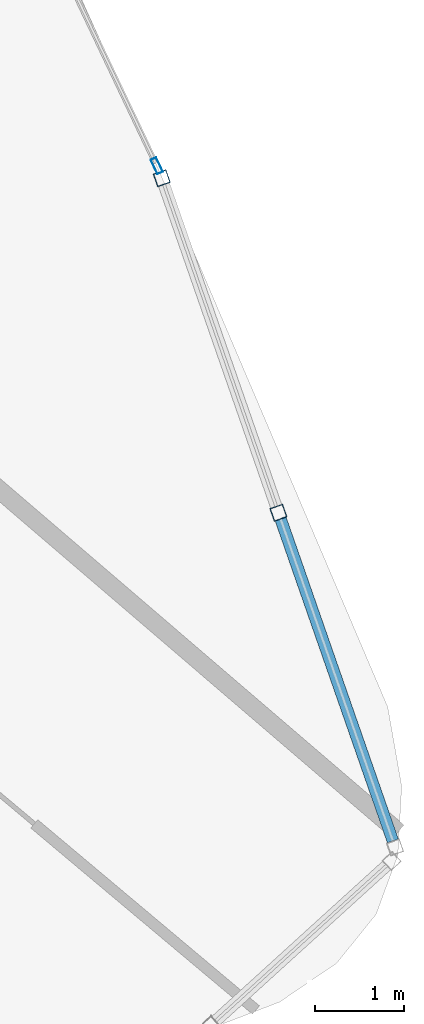
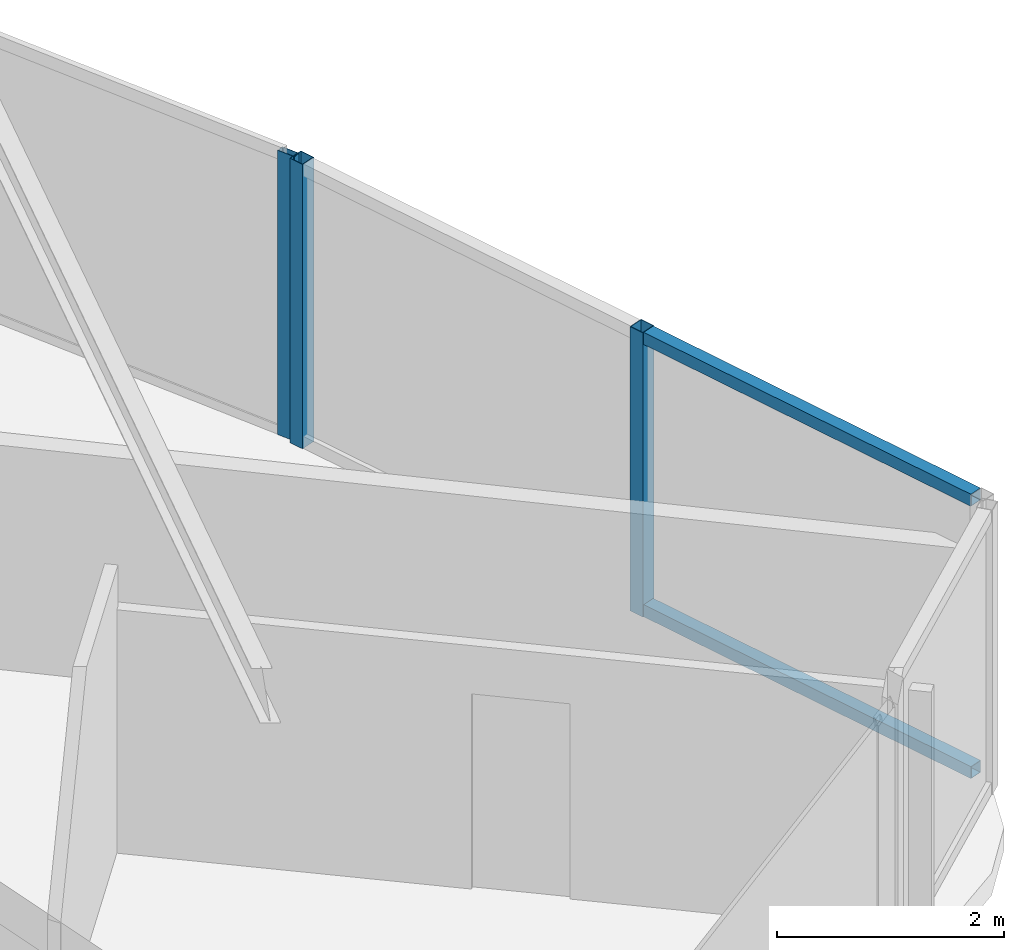
# One storey, part 16 of 35: 5 members, 2 elements without a shape of their own.
"""IFC4 building model written with IfcOpenShell, lengths in metres."""

from ifc_helpers import new_model, si_unit, direction, frame, origin, origin_2d, place, context, subcontext, project, spatial, hollow_rectangle, extrude, material, layer, layer_set, material_profile, profile_set, type_object, element, aggregate, save


model = new_model("IFC4")

# Units and contexts
model_context = context("Model", 3, precision=1e-05, world=origin(), true_north=direction((0.0, 1.0)))
body_context = subcontext(model_context, "Body", "Model", "MODEL_VIEW")
ifc_project = project(units=[si_unit("LENGTHUNIT", "METRE"), si_unit("AREAUNIT", "SQUARE_METRE"), si_unit("VOLUMEUNIT", "CUBIC_METRE"), si_unit("PLANEANGLEUNIT", "RADIAN"), si_unit("MASSUNIT", "GRAM", prefix="KILO")], contexts=[model_context])

# Site, building, storey
site_placement = place(None, origin())
site = spatial("IfcSite", under=ifc_project, at=site_placement, CompositionType="ELEMENT")
building_placement = place(site_placement, origin())
building = spatial("IfcBuilding", under=site, at=building_placement, Name="Orvanel Arch Residences", CompositionType="ELEMENT")
storey_placement = place(building_placement, frame((0.0, 0.0, 40.10009765625)))
storey = spatial("IfcBuildingStorey", under=building, at=storey_placement, Name="L10", CompositionType="ELEMENT", Elevation=40.10009765625)

# Curtain wall, members
ifc_material = material(Name="Bronze-anodised aluminium AA6063-T6", Category="aluminium")
ifc_layer_1 = layer(ifc_material, 0.18994140625)
ifc_layer_set_1 = layer_set([ifc_layer_1], Name="Bronze-anodised aluminium AA6063-T6")
curtain_wall_type_1 = type_object("IfcCurtainWallType", Name="CW5-CRN-SYS", PredefinedType="NOTDEFINED", material=ifc_layer_set_1)
curtain_wall_1_placement = place(storey_placement, origin())
curtain_wall_1 = element("IfcCurtainWall", 1, at=curtain_wall_1_placement, inside=storey, type_object=curtain_wall_type_1, Name="L10 CW5-CRN-SYS Unitised Curtain Wall", PredefinedType="NOTDEFINED")
ifc_material_profile_1 = material_profile(ifc_material, hollow_rectangle(XDim=0.14990234375, YDim=0.14990234375, WallThickness=0.0048828125, at=origin_2d()), Name="ALU150x150x5")
ifc_profile_set_1 = profile_set([ifc_material_profile_1], Name="Bronze-anodised aluminium AA6063-T6")
member_type_1 = type_object("IfcMemberType", Name="MUL-150x150", PredefinedType="MULLION", material=ifc_profile_set_1)
member_1_placement = place(storey_placement, frame((60.53857421875, 9.302978515625, 0.0), z_axis=(0.0, 0.0, 1.0), x_axis=(-0.94424408755, -0.329246265169, 0.0)))
member_1 = element("IfcMember", 2, at=member_1_placement, type_object=member_type_1, Name="CW-S5 mullion 2", PredefinedType="MULLION", context=body_context, shape_type="SweptSolid", body=[
    extrude(hollow_rectangle(XDim=0.14990234375, YDim=0.14990234375, WallThickness=0.0048828125, at=origin_2d()), origin(), (0.0, 0.0, 1.0), 3.059814453125),
])
member_2_placement = place(storey_placement, frame((59.234619140625, 13.042236328125, 0.0), z_axis=(0.0, 0.0, 1.0), x_axis=(-0.94424408755, -0.329246265169, 0.0)))
member_2 = element("IfcMember", 3, at=member_2_placement, type_object=member_type_1, Name="CW-S5 mullion 3", PredefinedType="MULLION", context=body_context, shape_type="SweptSolid", body=[
    extrude(hollow_rectangle(XDim=0.14990234375, YDim=0.14990234375, WallThickness=0.0048828125, at=origin_2d()), origin(), (0.0, 0.0, 1.0), 3.059814453125),
])

# Curtain wall, member
ifc_layer_2 = layer(ifc_material, 0.179931640625)
ifc_layer_set_2 = layer_set([ifc_layer_2], Name="Bronze-anodised aluminium AA6063-T6")
curtain_wall_type_2 = type_object("IfcCurtainWallType", Name="CW2-LOW-SYS", PredefinedType="NOTDEFINED", material=ifc_layer_set_2)
curtain_wall_2_placement = place(storey_placement, origin())
curtain_wall_2 = element("IfcCurtainWall", 4, at=curtain_wall_2_placement, inside=storey, type_object=curtain_wall_type_2, Name="L10 CW2-LOW-SYS Unitised Curtain Wall", PredefinedType="NOTDEFINED")
ifc_material_profile_2 = material_profile(ifc_material, hollow_rectangle(XDim=0.070068359375, YDim=0.179931640625, WallThickness=0.00439453125, at=origin_2d()), Name="ALU180x70x4.5")
ifc_profile_set_2 = profile_set([ifc_material_profile_2], Name="Bronze-anodised aluminium AA6063-T6")
member_type_2 = type_object("IfcMemberType", Name="MUL-180x70", PredefinedType="MULLION", material=ifc_profile_set_2)
member_3_placement = place(storey_placement, frame((59.178955078125, 13.181640625, 0.0), z_axis=(0.0, 0.0, 1.0), x_axis=(-0.903506444237, -0.4285745037, 0.0)))
member_3 = element("IfcMember", 5, at=member_3_placement, type_object=member_type_2, Name="CW-S2 mullion 1", PredefinedType="MULLION", context=body_context, shape_type="SweptSolid", body=[
    extrude(hollow_rectangle(XDim=0.070068359375, YDim=0.179931640625, WallThickness=0.00439453125, at=origin_2d()), origin(), (0.0, 0.0, 1.0), 3.059814453125),
])
aggregate(curtain_wall_2, [member_3])

# Member
ifc_material_profile_3 = material_profile(ifc_material, hollow_rectangle(XDim=0.1298828125, YDim=0.1298828125, WallThickness=0.00439453125, at=origin_2d()), Name="ALU130x130x4.5")
ifc_profile_set_3 = profile_set([ifc_material_profile_3], Name="Bronze-anodised aluminium AA6063-T6")
member_type_3 = type_object("IfcMemberType", Name="TRN-130x130", PredefinedType="USERDEFINED", material=ifc_profile_set_3)
member_4_placement = place(storey_placement, frame((61.817626953125, 5.634521484375, 0.06494140625), z_axis=(-0.329231329968, 0.944249295137, 0.0), x_axis=(-0.944249295137, -0.329231329968, 0.0)))
member_4 = element("IfcMember", 6, at=member_4_placement, type_object=member_type_3, Name="CW-S5 transom 1.1", ObjectType="TRANSOM", PredefinedType="USERDEFINED", context=body_context, shape_type="SweptSolid", body=[
    extrude(hollow_rectangle(XDim=0.1298828125, YDim=0.1298828125, WallThickness=0.00439453125, at=origin_2d()), origin(), (0.0, 0.0, 1.0), 3.81005859375),
])

member_5_placement = place(storey_placement, frame((61.817626953125, 5.634521484375, 2.994873046875), z_axis=(-0.329231329968, 0.944249295137, 0.0), x_axis=(-0.944249295137, -0.329231329968, 0.0)))
member_5 = element("IfcMember", 7, at=member_5_placement, type_object=member_type_3, Name="CW-S5 transom 1.2", ObjectType="TRANSOM", PredefinedType="USERDEFINED", context=body_context, shape_type="SweptSolid", body=[
    extrude(hollow_rectangle(XDim=0.1298828125, YDim=0.1298828125, WallThickness=0.00439453125, at=origin_2d()), origin(), (0.0, 0.0, 1.0), 3.81005859375),
])

aggregate(curtain_wall_1, [member_1, member_2, member_4, member_5])

save(model, "model.ifc")
